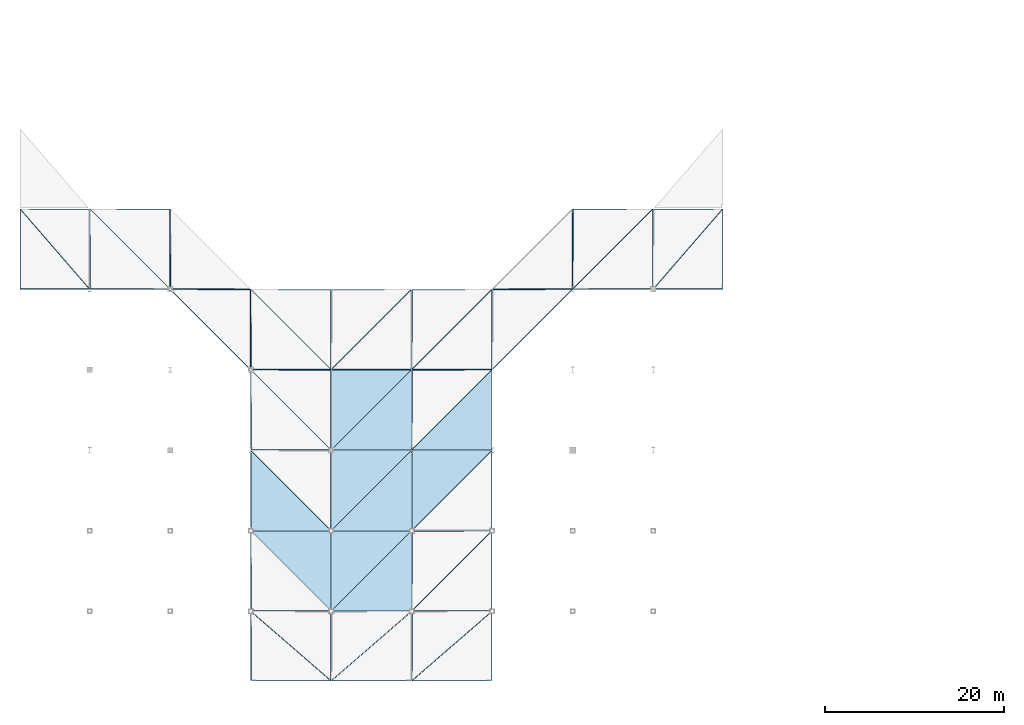
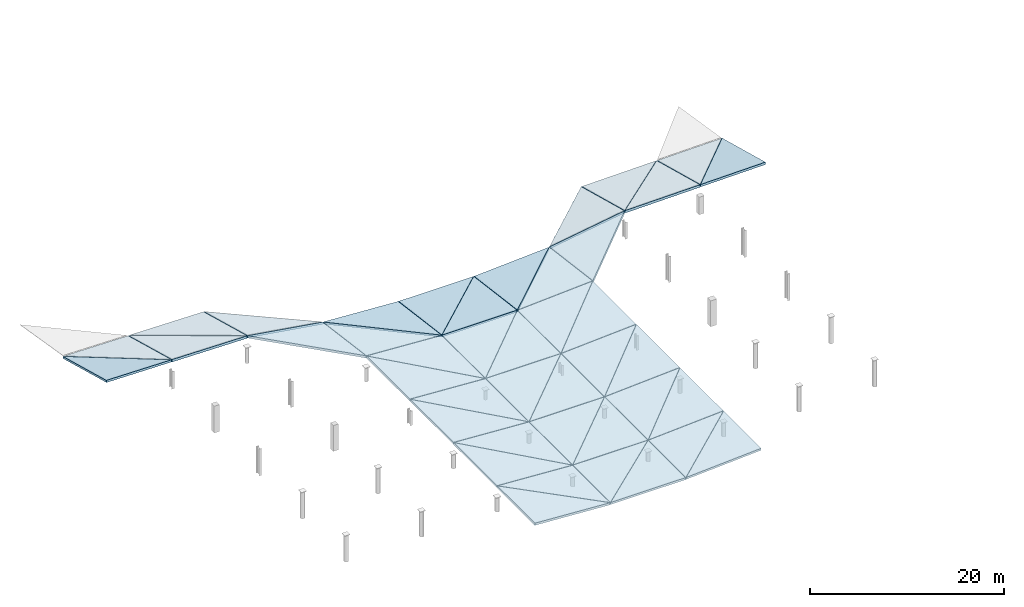
# One storey, part 48 of 58: 42 slabs.
"""IFC4 building model written with IfcOpenShell, lengths in metres."""

from ifc_helpers import new_model, si_unit, direction, frame, origin, place, context, subcontext, project, spatial, polyline, outline, extrude, material, layer, layer_set, type_object, element, save


model = new_model("IFC4")

# Units and contexts
model_context = context("Model", 3, precision=1e-05, world=origin(), true_north=direction((0.0, 1.0)))
body_context = subcontext(model_context, "Body", "Model", "MODEL_VIEW")
ifc_project = project(units=[si_unit("LENGTHUNIT", "METRE"), si_unit("AREAUNIT", "SQUARE_METRE"), si_unit("VOLUMEUNIT", "CUBIC_METRE"), si_unit("PLANEANGLEUNIT", "RADIAN"), si_unit("MASSUNIT", "GRAM", prefix="KILO")], contexts=[model_context])

# Site, building, storey
site_placement = place(None, origin())
site = spatial("IfcSite", under=ifc_project, at=site_placement, CompositionType="ELEMENT")
building_placement = place(site_placement, origin())
building = spatial("IfcBuilding", under=site, at=building_placement, Name="Barlavento Convention Centre", CompositionType="ELEMENT")
storey_placement = place(building_placement, frame((0.0, 0.0, 26.800048828125)))
storey = spatial("IfcBuildingStorey", under=building, at=storey_placement, Name="L05", CompositionType="ELEMENT", Elevation=26.800048828125)

# Slabs
ifc_material = material(Name="Concrete C40/50", Category="concrete")
ifc_layer_1 = layer(ifc_material, 0.239990234375)
ifc_layer_set_1 = layer_set([ifc_layer_1], Name="STR-SLB-CONG-150")
slab_type_1 = type_object("IfcSlabType", Name="STR-SLB-CONG-150", PredefinedType="ROOF", material=ifc_layer_set_1)
slab_1_placement = place(storey_placement, frame((-7.779052734375, 36.024169921875, 3.607421875), z_axis=(0.013987499607, 0.259100931074, 0.965748961879), x_axis=(0.999898588186, -0.001039264674, -0.014203283883)))
element("IfcSlab", 1, at=slab_1_placement, inside=storey, type_object=slab_type_1, Name="Congress sweeping roof facet CRF-11", PredefinedType="ROOF", context=body_context, shape_type="SweptSolid", body=[
    extrude(outline(polyline([(0.0, 0.0), (7.752251013589688, -3.469446951953614e-18), (0.01649220650885915, 9.262880567683554), (0.0, 0.0)])), origin(), (0.0, 0.0, -1.0), 0.239990234375),
])
slab_2_placement = place(storey_placement, frame((26.985595703125, 0.028564453125, 2.599853515625), z_axis=(0.060184312389, 5.5826557e-05, 0.998187279735), x_axis=(-0.000927592769, 0.999999569786, 0.0)))
element("IfcSlab", 2, at=slab_2_placement, inside=storey, type_object=slab_type_1, Name="Congress sweeping roof facet CRF-10", PredefinedType="ROOF", context=body_context, shape_type="SweptSolid", body=[
    extrude(outline(polyline([(0.0, 0.0), (8.948734318623163, 0.0), (8.965335873980935, 8.96496990174597), (0.0, 0.0)])), origin(), (0.0, 0.0, -1.0), 0.239990234375),
])
slab_3_placement = place(storey_placement, frame((18.022705078125, 9.022705078125, 3.140380859375), z_axis=(0.060292721695, -8.0235476e-05, 0.998180735775), x_axis=(0.998180306639, -0.000925905233, -0.0602927702)))
element("IfcSlab", 3, at=slab_3_placement, inside=storey, type_object=slab_type_1, Name="Congress sweeping roof facet CRF-11", PredefinedType="ROOF", context=body_context, shape_type="SweptSolid", body=[
    extrude(outline(polyline([(0.0, 0.0), (8.965044099983302, 7.809643773684649e-19), (-0.01664495231992768, 8.948718921777704), (0.0, 0.0)])), origin(), (0.0, 0.0, -1.0), 0.239990234375),
])
slab_4_placement = place(storey_placement, frame((26.985595703125, 27.028564453125, 2.599853515625), z_axis=(0.059548128556, 0.130492422296, 0.989659410155), x_axis=(-0.000919639518, 0.991425497346, -0.130669956285)))
element("IfcSlab", 4, at=slab_4_placement, inside=storey, type_object=slab_type_1, Name="Congress sweeping roof facet CRF-16", PredefinedType="ROOF", context=body_context, shape_type="SweptSolid", body=[
    extrude(outline(polyline([(0.0, 0.0), (9.026125001531819, 0.0), (8.972368253493677, 8.964692126230487), (0.0, 0.0)])), origin(), (0.0, 0.0, -1.0), 0.239990234375),
])
slab_5_placement = place(storey_placement, frame((27.01611328125, -7.772216796875, 2.599853515625), z_axis=(0.0, 0.0, 1.0), x_axis=(0.755735990338, 0.654876410407, 0.0)))
element("IfcSlab", 5, at=slab_5_placement, inside=storey, type_object=slab_type_1, Name="Congress sweeping roof facet CRF-24", PredefinedType="ROOF", context=body_context, shape_type="SweptSolid", body=[
    extrude(outline(polyline([(0.0, 0.0), (11.848833399802189, 0.0), (5.082180283617745, 5.852600350512482), (0.0, 0.0)])), origin(), (0.0, 0.0, -1.0), 0.239990234375),
])
slab_6_placement = place(storey_placement, frame((27.028564453125, 0.014404296875, 2.599853515625), z_axis=(0.0, 0.0, 1.0), x_axis=(0.999999569786, 0.000927592769, 0.0)))
element("IfcSlab", 6, at=slab_6_placement, inside=storey, type_object=slab_type_1, Name="Congress sweeping roof facet CRF-25", PredefinedType="ROOF", context=body_context, shape_type="SweptSolid", body=[
    extrude(outline(polyline([(0.0, 0.0), (8.948734318623163, 0.0), (8.965335873980935, 8.948718919133826), (0.0, 0.0)])), origin(), (0.0, 0.0, -1.0), 0.239990234375),
])
slab_7_placement = place(storey_placement, frame((27.014404296875, 18.028564453125, 2.599853515625), z_axis=(0.0, 0.0, 1.0), x_axis=(0.707106781187, 0.707106781187, 0.0)))
element("IfcSlab", 7, at=slab_7_placement, inside=storey, type_object=slab_type_1, Name="Congress sweeping roof facet CRF-30", PredefinedType="ROOF", context=body_context, shape_type="SweptSolid", body=[
    extrude(outline(polyline([(0.0, 0.0), (12.667155072349637, 0.0), (6.333577536174819, 6.321838458752777), (0.0, 0.0)])), origin(), (0.0, 0.0, -1.0), 0.239990234375),
])
slab_8_placement = place(storey_placement, frame((27.028564453125, 27.014404296875, 2.599853515625), z_axis=(-0.000121060739, 0.130510597535, 0.991446906937), x_axis=(0.999999569786, 0.000927592769, 0.0)))
element("IfcSlab", 8, at=slab_8_placement, inside=storey, type_object=slab_type_1, Name="Congress sweeping roof facet CRF-31", PredefinedType="ROOF", context=body_context, shape_type="SweptSolid", body=[
    extrude(outline(polyline([(0.0, 0.0), (8.948734318623163, 1.734723475976807e-18), (8.965335873980935, 9.025918439523913), (0.0, 0.0)])), origin(), (0.0, 0.0, -1.0), 0.239990234375),
])
slab_9_placement = place(storey_placement, frame((36.029296875, -7.787353515625, 2.599853515625), z_axis=(-0.060280322238, -9.4540371e-05, 0.998181483405), x_axis=(0.998181054506, 0.000926133329, 0.060280384053)))
element("IfcSlab", 9, at=slab_9_placement, inside=storey, type_object=slab_type_1, Name="Congress sweeping roof facet CRF-39", PredefinedType="ROOF", context=body_context, shape_type="SweptSolid", body=[
    extrude(outline(polyline([(0.0, 0.0), (8.962836113483636, -1.8295911660692887e-19), (8.978130573914576, 7.751454037981948), (0.0, 0.0)])), origin(), (0.0, 0.0, -1.0), 0.239990234375),
])
slab_10_placement = place(storey_placement, frame((36.014404296875, 9.028564453125, 2.599853515625), z_axis=(-0.060184312389, 5.5826557e-05, 0.998187279735), x_axis=(0.706466204657, 0.706466204657, 0.042555885093)))
element("IfcSlab", 10, at=slab_10_placement, inside=storey, type_object=slab_type_1, Name="Congress sweeping roof facet CRF-02", PredefinedType="ROOF", context=body_context, shape_type="SweptSolid", body=[
    extrude(outline(polyline([(0.0, 0.0), (12.678640805405784, -1.321859288694327e-15), (6.327839872178542, 6.32758156465576), (0.0, 0.0)])), origin(), (0.0, 0.0, -1.0), 0.239990234375),
])
slab_11_placement = place(storey_placement, frame((36.028564453125, 18.014404296875, 2.599853515625), z_axis=(-0.060292721695, -8.0235476e-05, 0.998180735775), x_axis=(0.998180306639, 0.000925905233, 0.0602927702)))
element("IfcSlab", 11, at=slab_11_placement, inside=storey, type_object=slab_type_1, Name="Congress sweeping roof facet CRF-03", PredefinedType="ROOF", context=body_context, shape_type="SweptSolid", body=[
    extrude(outline(polyline([(0.0, 0.0), (8.965044099983302, -7.809643773684649e-19), (8.981689052303228, 8.948718921777704), (0.0, 0.0)])), origin(), (0.0, 0.0, -1.0), 0.239990234375),
])
slab_12_placement = place(storey_placement, frame((45.014404296875, 27.028564453125, 3.145751953125), z_axis=(-0.154109141912, 0.129144440483, 0.979577503759), x_axis=(0.70699199374, 0.70699199374, 0.018017812749)))
element("IfcSlab", 12, at=slab_12_placement, inside=storey, type_object=slab_type_1, Name="Congress sweeping roof facet CRF-22", PredefinedType="ROOF", context=body_context, shape_type="SweptSolid", body=[
    extrude(outline(polyline([(0.0, 0.0), (12.669211715711908, -1.457167719820518e-16), (6.31131598734785, 6.452590208938439), (0.0, 0.0)])), origin(), (0.0, 0.0, -1.0), 0.239990234375),
])
slab_13_placement = place(storey_placement, frame((45.028564453125, 36.014404296875, 1.958251953125), z_axis=(-0.150260568381, 0.256316550738, 0.95484217932), x_axis=(0.987880489252, 0.000916351193, 0.15521372122)))
element("IfcSlab", 13, at=slab_13_placement, inside=storey, type_object=slab_type_1, Name="Congress sweeping roof facet CRF-23", PredefinedType="ROOF", context=body_context, shape_type="SweptSolid", body=[
    extrude(outline(polyline([(0.0, 0.0), (9.058515241577993, 0.0), (8.702266252024758, 9.258355798154577), (0.0, 0.0)])), origin(), (0.0, 0.0, -1.0), 0.239990234375),
])
slab_14_placement = place(storey_placement, frame((63.0126953125, 36.029296875, 3.493408203125), z_axis=(-0.014018352289, 0.259100845823, 0.965748537401), x_axis=(0.642980151017, 0.742007550546, -0.189740138954)))
element("IfcSlab", 14, at=slab_14_placement, inside=storey, type_object=slab_type_1, Name="Congress sweeping roof facet CRF-14", PredefinedType="ROOF", context=body_context, shape_type="SweptSolid", body=[
    extrude(outline(polyline([(0.0, 0.0), (12.068057578604455, 3.3306690738754696e-16), (7.09913655296853, 5.950083075584006), (0.0, 0.0)])), origin(), (0.0, 0.0, -1.0), 0.239990234375),
])
ifc_layer_2 = layer(ifc_material, 0.2548828125)
ifc_layer_set_2 = layer_set([ifc_layer_2], Name="STR-SLB-CONG-165")
slab_type_2 = type_object("IfcSlabType", Name="STR-SLB-CONG-165", PredefinedType="ROOF", material=ifc_layer_set_2)
slab_15_placement = place(storey_placement, frame((8.985595703125, 36.028564453125, 3.363037109375), z_axis=(0.014020215628, 0.259090650039, 0.965751245723), x_axis=(-0.000895914975, 0.96584904422, -0.259103880936)))
element("IfcSlab", 15, at=slab_15_placement, inside=storey, type_object=slab_type_2, Name="Congress sweeping roof facet CRF-28", PredefinedType="ROOF", context=body_context, shape_type="SweptSolid", body=[
    extrude(outline(polyline([(0.0, 0.0), (9.265143991500151, 6.938893903907228e-18), (9.248094774038634, 8.949628977134678), (0.0, 0.0)])), origin(), (0.0, 0.0, -1.0), 0.2548828125),
])
slab_16_placement = place(storey_placement, frame((17.985595703125, 27.028564453125, 3.145751953125), z_axis=(0.154109141912, 0.129144440483, 0.979577503759), x_axis=(-0.000919652515, 0.991439508177, -0.1305636085)))
element("IfcSlab", 16, at=slab_16_placement, inside=storey, type_object=slab_type_2, Name="Congress sweeping roof facet CRF-42", PredefinedType="ROOF", context=body_context, shape_type="SweptSolid", body=[
    extrude(outline(polyline([(0.0, 0.0), (9.025997446079895, 0.0), (8.858788064824308, 9.057085597478821), (0.0, 0.0)])), origin(), (0.0, 0.0, -1.0), 0.2548828125),
])
slab_17_placement = place(storey_placement, frame((9.022705078125, 36.022705078125, 3.3642578125), z_axis=(0.150260568381, 0.256316550738, 0.95484217932), x_axis=(0.987880489252, -0.000916351193, -0.15521372122)))
element("IfcSlab", 17, at=slab_17_placement, inside=storey, type_object=slab_type_2, Name="Congress sweeping roof facet CRF-01", PredefinedType="ROOF", context=body_context, shape_type="SweptSolid", body=[
    extrude(outline(polyline([(0.0, 0.0), (9.058515241577993, 0.0), (0.35624898955323453, 9.258355798154579), (0.0, 0.0)])), origin(), (0.0, 0.0, -1.0), 0.2548828125),
])
slab_18_placement = place(storey_placement, frame((26.98388671875, -7.772216796875, 2.599853515625), z_axis=(0.060199046288, 6.2571058e-05, 0.998186390866), x_axis=(-0.001039402254, 0.999999459821, 0.0)))
element("IfcSlab", 18, at=slab_18_placement, inside=storey, type_object=slab_type_2, Name="Congress sweeping roof facet CRF-08", PredefinedType="ROOF", context=body_context, shape_type="SweptSolid", body=[
    extrude(outline(polyline([(0.0, 0.0), (7.751224890171345, 0.0), (7.768824713717596, 8.962774712629235), (0.0, 0.0)])), origin(), (0.0, 0.0, -1.0), 0.2548828125),
])
slab_19_placement = place(storey_placement, frame((18.022705078125, 0.022705078125, 3.140380859375), z_axis=(0.060292721695, -8.0235476e-05, 0.998180735775), x_axis=(0.998180306639, -0.000925905233, -0.0602927702)))
element("IfcSlab", 19, at=slab_19_placement, inside=storey, type_object=slab_type_2, Name="Congress sweeping roof facet CRF-09", PredefinedType="ROOF", context=body_context, shape_type="SweptSolid", body=[
    extrude(outline(polyline([(0.0, 0.0), (8.965044099983302, 7.809643773684649e-19), (-0.01664495231992768, 8.948718921777704), (0.0, 0.0)])), origin(), (0.0, 0.0, -1.0), 0.2548828125),
])
slab_20_placement = place(storey_placement, frame((26.985595703125, 18.028564453125, 2.599853515625), z_axis=(0.060184312389, 5.5826557e-05, 0.998187279735), x_axis=(-0.000927592769, 0.999999569786, 0.0)))
element("IfcSlab", 20, at=slab_20_placement, inside=storey, type_object=slab_type_2, Name="Congress sweeping roof facet CRF-14", PredefinedType="ROOF", context=body_context, shape_type="SweptSolid", body=[
    extrude(outline(polyline([(0.0, 0.0), (8.948734318623163, 0.0), (8.965335873980935, 8.96496990174597), (0.0, 0.0)])), origin(), (0.0, 0.0, -1.0), 0.2548828125),
])
slab_21_placement = place(storey_placement, frame((18.022705078125, 27.022705078125, 3.140380859375), z_axis=(0.059899915497, 0.130198054763, 0.989676950656), x_axis=(0.998180306639, -0.000925905233, -0.0602927702)))
element("IfcSlab", 21, at=slab_21_placement, inside=storey, type_object=slab_type_2, Name="Congress sweeping roof facet CRF-15", PredefinedType="ROOF", context=body_context, shape_type="SweptSolid", body=[
    extrude(outline(polyline([(0.0, 0.0), (8.965044099983302, 0.0), (0.054378635622772474, 9.025610661809626), (0.0, 0.0)])), origin(), (0.0, 0.0, -1.0), 0.2548828125),
])
slab_22_placement = place(storey_placement, frame((27.029296875, -7.787353515625, 2.599853515625), z_axis=(0.0, 0.0, 1.0), x_axis=(0.999999569574, 0.000927820586, 0.0)))
element("IfcSlab", 22, at=slab_22_placement, inside=storey, type_object=slab_type_2, Name="Congress sweeping roof facet CRF-23", PredefinedType="ROOF", context=body_context, shape_type="SweptSolid", body=[
    extrude(outline(polyline([(0.0, 0.0), (8.94653705394369, 0.0), (8.961785659752806, 7.751454032203975), (0.0, 0.0)])), origin(), (0.0, 0.0, -1.0), 0.2548828125),
])
slab_23_placement = place(storey_placement, frame((27.014404296875, 9.028564453125, 2.599853515625), z_axis=(0.0, 0.0, 1.0), x_axis=(0.707106781187, 0.707106781187, 0.0)))
element("IfcSlab", 23, at=slab_23_placement, inside=storey, type_object=slab_type_2, Name="Congress sweeping roof facet CRF-28", PredefinedType="ROOF", context=body_context, shape_type="SweptSolid", body=[
    extrude(outline(polyline([(0.0, 0.0), (12.667155072349637, 0.0), (6.333577536174819, 6.321838458752777), (0.0, 0.0)])), origin(), (0.0, 0.0, -1.0), 0.2548828125),
])
slab_24_placement = place(storey_placement, frame((27.028564453125, 18.014404296875, 2.599853515625), z_axis=(0.0, 0.0, 1.0), x_axis=(0.999999569786, 0.000927592769, 0.0)))
element("IfcSlab", 24, at=slab_24_placement, inside=storey, type_object=slab_type_2, Name="Congress sweeping roof facet CRF-29", PredefinedType="ROOF", context=body_context, shape_type="SweptSolid", body=[
    extrude(outline(polyline([(0.0, 0.0), (8.948734318623163, 0.0), (8.965335873980935, 8.948718919133826), (0.0, 0.0)])), origin(), (0.0, 0.0, -1.0), 0.2548828125),
])
slab_25_placement = place(storey_placement, frame((36.014404296875, 0.028564453125, 2.599853515625), z_axis=(-0.060184312389, 5.5826557e-05, 0.998187279735), x_axis=(0.706466204657, 0.706466204657, 0.042555885093)))
element("IfcSlab", 25, at=slab_25_placement, inside=storey, type_object=slab_type_2, Name="Congress sweeping roof facet CRF-42", PredefinedType="ROOF", context=body_context, shape_type="SweptSolid", body=[
    extrude(outline(polyline([(0.0, 0.0), (12.678640805405784, -1.321859288694327e-15), (6.327839872178542, 6.32758156465576), (0.0, 0.0)])), origin(), (0.0, 0.0, -1.0), 0.2548828125),
])
slab_26_placement = place(storey_placement, frame((36.028564453125, 9.014404296875, 2.599853515625), z_axis=(-0.060292721695, -8.0235476e-05, 0.998180735775), x_axis=(0.998180306639, 0.000925905233, 0.0602927702)))
element("IfcSlab", 26, at=slab_26_placement, inside=storey, type_object=slab_type_2, Name="Congress sweeping roof facet CRF-01", PredefinedType="ROOF", context=body_context, shape_type="SweptSolid", body=[
    extrude(outline(polyline([(0.0, 0.0), (8.965044099983302, -7.809643773684649e-19), (8.981689052303228, 8.948718921777704), (0.0, 0.0)])), origin(), (0.0, 0.0, -1.0), 0.2548828125),
])
slab_27_placement = place(storey_placement, frame((36.014404296875, 27.028564453125, 2.599853515625), z_axis=(-0.059548128556, 0.130492422296, 0.989659410155), x_axis=(0.706200104379, 0.706200104379, -0.050624353318)))
element("IfcSlab", 27, at=slab_27_placement, inside=storey, type_object=slab_type_2, Name="Congress sweeping roof facet CRF-06", PredefinedType="ROOF", context=body_context, shape_type="SweptSolid", body=[
    extrude(outline(polyline([(0.0, 0.0), (12.683418190472159, -2.914335439641036e-16), (6.3851649610234, 6.379702262942746), (0.0, 0.0)])), origin(), (0.0, 0.0, -1.0), 0.2548828125),
])
slab_28_placement = place(storey_placement, frame((54.014404296875, 36.028564453125, 3.363037109375), z_axis=(-0.014020215628, 0.259090650039, 0.965751245723), x_axis=(0.695990984705, 0.695990984705, -0.176615679993)))
element("IfcSlab", 28, at=slab_28_placement, inside=storey, type_object=slab_type_2, Name="Congress sweeping roof facet CRF-40", PredefinedType="ROOF", context=body_context, shape_type="SweptSolid", body=[
    extrude(outline(polyline([(0.0, 0.0), (12.869464471296753, 2.7755575615628914e-16), (6.6580027412651335, 6.443127554265657), (0.0, 0.0)])), origin(), (0.0, 0.0, -1.0), 0.2548828125),
])
slab_29_placement = place(storey_placement, frame((63.027587890625, 36.01611328125, 3.497314453125), z_axis=(-0.013987499607, 0.259100931074, 0.965748961879), x_axis=(0.999898588186, 0.001039264674, 0.014203283883)))
element("IfcSlab", 29, at=slab_29_placement, inside=storey, type_object=slab_type_2, Name="Congress sweeping roof facet CRF-13", PredefinedType="ROOF", context=body_context, shape_type="SweptSolid", body=[
    extrude(outline(polyline([(0.0, 0.0), (7.752251013589688, 3.469446951953614e-18), (7.735758807080828, 9.262880567683553), (0.0, 0.0)])), origin(), (0.0, 0.0, -1.0), 0.2548828125),
])
ifc_layer_3 = layer(ifc_material, 0.27001953125)
ifc_layer_set_3 = layer_set([ifc_layer_3], Name="STR-SLB-CONG-180")
slab_type_3 = type_object("IfcSlabType", Name="STR-SLB-CONG-180", PredefinedType="ROOF", material=ifc_layer_set_3)
slab_30_placement = place(storey_placement, frame((-0.0126953125, 36.029296875, 3.493408203125), z_axis=(0.014018352289, 0.259100845823, 0.965748537401), x_axis=(-0.000896132475, 0.965846310695, -0.259114069599)))
element("IfcSlab", 30, at=slab_30_placement, inside=storey, type_object=slab_type_3, Name="Congress sweeping roof facet CRF-12", PredefinedType="ROOF", context=body_context, shape_type="SweptSolid", body=[
    extrude(outline(polyline([(0.0, 0.0), (9.262895249545096, 0.0), (9.249029204320019, 7.75199796814652), (0.0, 0.0)])), origin(), (0.0, 0.0, -1.0), 0.27001953125),
])
slab_31_placement = place(storey_placement, frame((0.022705078125, 36.022705078125, 3.49462890625), z_axis=(0.013993801988, 0.259115301647, 0.96574501498), x_axis=(0.999898178263, -0.000927498719, -0.01423983328)))
element("IfcSlab", 31, at=slab_31_placement, inside=storey, type_object=slab_type_3, Name="Congress sweeping roof facet CRF-27", PredefinedType="ROOF", context=body_context, shape_type="SweptSolid", body=[
    extrude(outline(polyline([(0.0, 0.0), (8.949641736814437, 0.0), (0.01758824325093967, 9.265190558292876), (0.0, 0.0)])), origin(), (0.0, 0.0, -1.0), 0.27001953125),
])
slab_32_placement = place(storey_placement, frame((18.024169921875, -7.779052734375, 3.14013671875), z_axis=(0.060280322238, -9.4540371e-05, 0.998181483405), x_axis=(0.998181054506, -0.000926133329, -0.060280384053)))
element("IfcSlab", 32, at=slab_32_placement, inside=storey, type_object=slab_type_3, Name="Congress sweeping roof facet CRF-07", PredefinedType="ROOF", context=body_context, shape_type="SweptSolid", body=[
    extrude(outline(polyline([(0.0, 0.0), (8.962836113483636, 1.8295911660692887e-19), (-0.015294460430940736, 7.751454037981947), (0.0, 0.0)])), origin(), (0.0, 0.0, -1.0), 0.27001953125),
])
slab_33_placement = place(storey_placement, frame((26.985595703125, 9.028564453125, 2.599853515625), z_axis=(0.060184312389, 5.5826557e-05, 0.998187279735), x_axis=(-0.000927592769, 0.999999569786, 0.0)))
element("IfcSlab", 33, at=slab_33_placement, inside=storey, type_object=slab_type_3, Name="Congress sweeping roof facet CRF-12", PredefinedType="ROOF", context=body_context, shape_type="SweptSolid", body=[
    extrude(outline(polyline([(0.0, 0.0), (8.948734318623163, 0.0), (8.965335873980935, 8.96496990174597), (0.0, 0.0)])), origin(), (0.0, 0.0, -1.0), 0.27001953125),
])
slab_34_placement = place(storey_placement, frame((18.022705078125, 18.022705078125, 3.140380859375), z_axis=(0.060292721695, -8.0235476e-05, 0.998180735775), x_axis=(0.998180306639, -0.000925905233, -0.0602927702)))
element("IfcSlab", 34, at=slab_34_placement, inside=storey, type_object=slab_type_3, Name="Congress sweeping roof facet CRF-13", PredefinedType="ROOF", context=body_context, shape_type="SweptSolid", body=[
    extrude(outline(polyline([(0.0, 0.0), (8.965044099983302, 7.809643773684649e-19), (-0.01664495231992768, 8.948718921777704), (0.0, 0.0)])), origin(), (0.0, 0.0, -1.0), 0.27001953125),
])
slab_35_placement = place(storey_placement, frame((27.014404296875, 0.028564453125, 2.599853515625), z_axis=(0.0, 0.0, 1.0), x_axis=(0.707106781187, 0.707106781187, 0.0)))
element("IfcSlab", 35, at=slab_35_placement, inside=storey, type_object=slab_type_3, Name="Congress sweeping roof facet CRF-26", PredefinedType="ROOF", context=body_context, shape_type="SweptSolid", body=[
    extrude(outline(polyline([(0.0, 0.0), (12.667155072349637, 0.0), (6.333577536174819, 6.321838458752777), (0.0, 0.0)])), origin(), (0.0, 0.0, -1.0), 0.27001953125),
])
slab_36_placement = place(storey_placement, frame((27.028564453125, 9.014404296875, 2.599853515625), z_axis=(0.0, 0.0, 1.0), x_axis=(0.999999569786, 0.000927592769, 0.0)))
element("IfcSlab", 36, at=slab_36_placement, inside=storey, type_object=slab_type_3, Name="Congress sweeping roof facet CRF-27", PredefinedType="ROOF", context=body_context, shape_type="SweptSolid", body=[
    extrude(outline(polyline([(0.0, 0.0), (8.948734318623163, 0.0), (8.965335873980935, 8.948718919133826), (0.0, 0.0)])), origin(), (0.0, 0.0, -1.0), 0.27001953125),
])
slab_37_placement = place(storey_placement, frame((27.014404296875, 27.028564453125, 2.599853515625), z_axis=(0.000149273845, 0.130669873984, 0.991425923481), x_axis=(0.704048884555, 0.704048884555, -0.092899603416)))
element("IfcSlab", 37, at=slab_37_placement, inside=storey, type_object=slab_type_3, Name="Congress sweeping roof facet CRF-32", PredefinedType="ROOF", context=body_context, shape_type="SweptSolid", body=[
    extrude(outline(polyline([(0.0, 0.0), (12.722172346976343, 3.7470027081099033e-16), (6.415757680820798, 6.348935810375362), (0.0, 0.0)])), origin(), (0.0, 0.0, -1.0), 0.27001953125),
])
slab_38_placement = place(storey_placement, frame((36.01611328125, -7.772216796875, 2.599853515625), z_axis=(-0.060199046288, 6.2571058e-05, 0.998186390866), x_axis=(0.754953680451, 0.654198506619, 0.045489057031)))
element("IfcSlab", 38, at=slab_38_placement, inside=storey, type_object=slab_type_3, Name="Congress sweeping roof facet CRF-40", PredefinedType="ROOF", context=body_context, shape_type="SweptSolid", body=[
    extrude(outline(polyline([(0.0, 0.0), (11.861111582892024, -4.510281037539698e-16), (5.076919398954304, 5.857164562698683), (0.0, 0.0)])), origin(), (0.0, 0.0, -1.0), 0.27001953125),
])
slab_39_placement = place(storey_placement, frame((36.028564453125, 0.014404296875, 2.599853515625), z_axis=(-0.060292721695, -8.0235476e-05, 0.998180735775), x_axis=(0.998180306639, 0.000925905233, 0.0602927702)))
element("IfcSlab", 39, at=slab_39_placement, inside=storey, type_object=slab_type_3, Name="Congress sweeping roof facet CRF-41", PredefinedType="ROOF", context=body_context, shape_type="SweptSolid", body=[
    extrude(outline(polyline([(0.0, 0.0), (8.965044099983302, -7.809643773684649e-19), (8.981689052303228, 8.948718921777704), (0.0, 0.0)])), origin(), (0.0, 0.0, -1.0), 0.27001953125),
])
slab_40_placement = place(storey_placement, frame((36.014404296875, 18.028564453125, 2.599853515625), z_axis=(-0.060184312389, 5.5826557e-05, 0.998187279735), x_axis=(0.706466204657, 0.706466204657, 0.042555885093)))
element("IfcSlab", 40, at=slab_40_placement, inside=storey, type_object=slab_type_3, Name="Congress sweeping roof facet CRF-04", PredefinedType="ROOF", context=body_context, shape_type="SweptSolid", body=[
    extrude(outline(polyline([(0.0, 0.0), (12.678640805405784, -1.321859288694327e-15), (6.327839872178542, 6.32758156465576), (0.0, 0.0)])), origin(), (0.0, 0.0, -1.0), 0.27001953125),
])
slab_41_placement = place(storey_placement, frame((36.028564453125, 27.014404296875, 2.599853515625), z_axis=(-0.059899915497, 0.130198054763, 0.989676950656), x_axis=(0.998180306639, 0.000925905233, 0.0602927702)))
element("IfcSlab", 41, at=slab_41_placement, inside=storey, type_object=slab_type_3, Name="Congress sweeping roof facet CRF-05", PredefinedType="ROOF", context=body_context, shape_type="SweptSolid", body=[
    extrude(outline(polyline([(0.0, 0.0), (8.965044099983302, 0.0), (8.910665464360529, 9.025610661809624), (0.0, 0.0)])), origin(), (0.0, 0.0, -1.0), 0.27001953125),
])
slab_42_placement = place(storey_placement, frame((54.028564453125, 36.014404296875, 3.3671875), z_axis=(-0.013993801988, 0.259115301647, 0.96574501498), x_axis=(0.999898178263, 0.000927498719, 0.01423983328)))
element("IfcSlab", 42, at=slab_42_placement, inside=storey, type_object=slab_type_3, Name="Congress sweeping roof facet CRF-39", PredefinedType="ROOF", context=body_context, shape_type="SweptSolid", body=[
    extrude(outline(polyline([(0.0, 0.0), (8.949641736814437, 0.0), (8.9320534935635, 9.265190558292877), (0.0, 0.0)])), origin(), (0.0, 0.0, -1.0), 0.27001953125),
])

save(model, "model.ifc")
